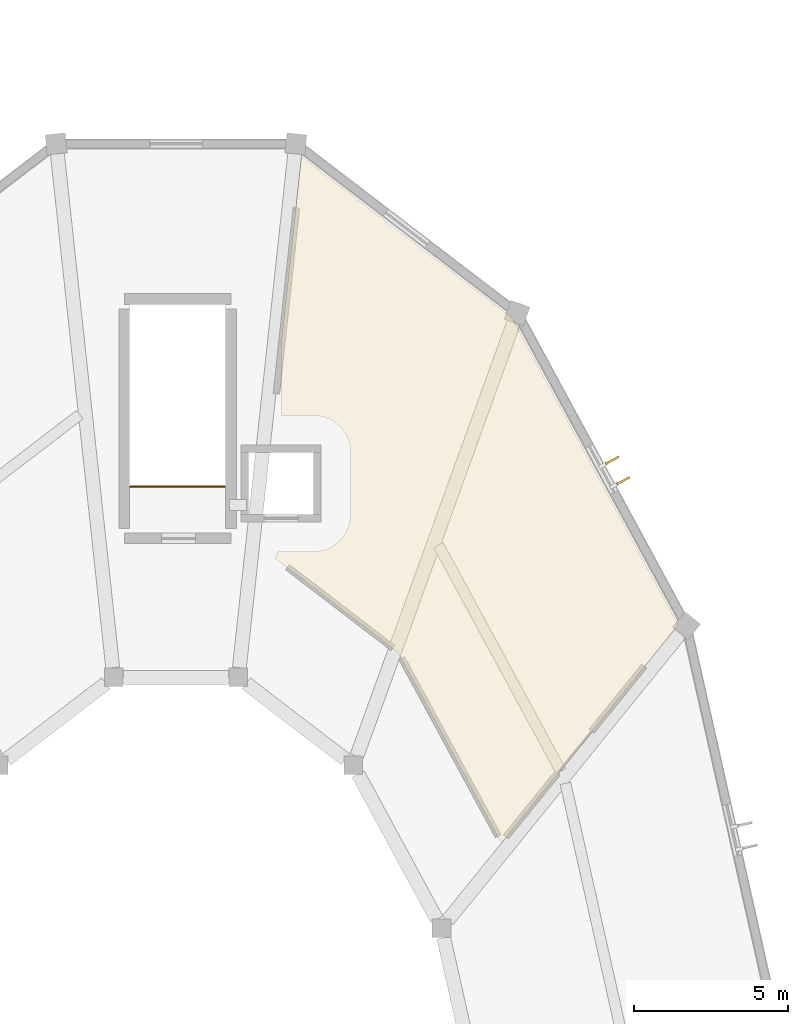
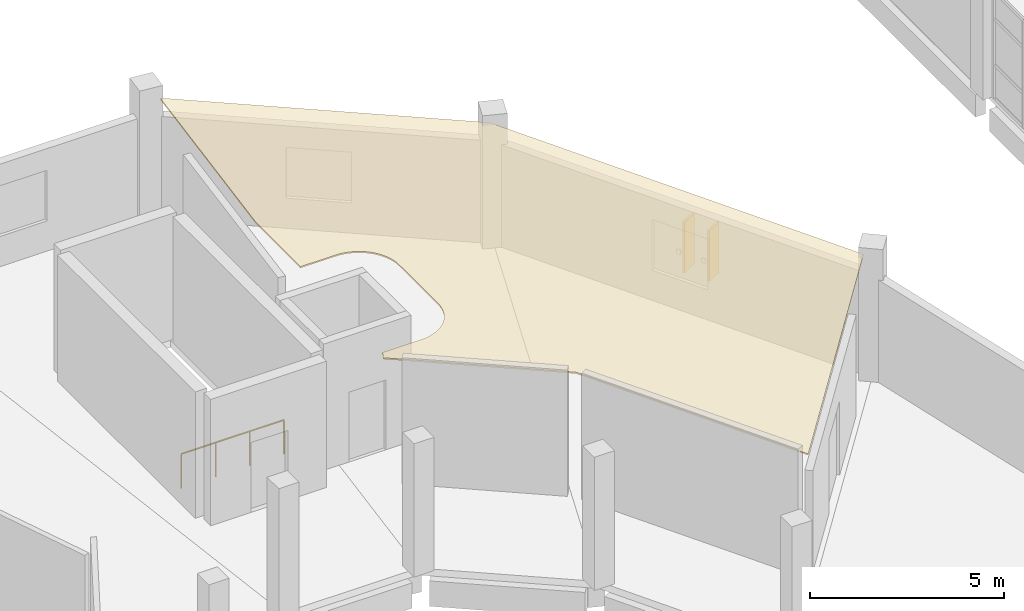
# One storey, part 138 of 142: 2 shading devices, 1 covering, 1 railing.
"""IFC4 building model written with IfcOpenShell, lengths in metres."""

from ifc_helpers import new_model, si_unit, direction, frame, origin, origin_2d, place, context, subcontext, project, spatial, polyline, rectangle, circle, outline, extrude, material, layer, layer_set, type_object, element, save


model = new_model("IFC4")

# Units and contexts
model_context = context("Model", 3, precision=1e-05, world=origin(), true_north=direction((0.0, 1.0)))
body_context = subcontext(model_context, "Body", "Model", "MODEL_VIEW")
ifc_project = project(units=[si_unit("LENGTHUNIT", "METRE"), si_unit("AREAUNIT", "SQUARE_METRE"), si_unit("VOLUMEUNIT", "CUBIC_METRE"), si_unit("PLANEANGLEUNIT", "RADIAN"), si_unit("MASSUNIT", "GRAM", prefix="KILO")], contexts=[model_context])

# Site, building, storey
site_placement = place(None, origin())
site = spatial("IfcSite", under=ifc_project, at=site_placement, CompositionType="ELEMENT")
building_placement = place(site_placement, origin())
building = spatial("IfcBuilding", under=site, at=building_placement, Name="Corvandel Quay Wholesale Market", CompositionType="ELEMENT")
storey_placement = place(building_placement, frame((0.0, 0.0, 10.800048828125)))
storey = spatial("IfcBuildingStorey", under=building, at=storey_placement, Name="L02", CompositionType="ELEMENT", Elevation=10.800048828125)

# Covering
ifc_material_1 = material(Name="Perforated powder-coated aluminium acoustic panel", Category="aluminium")
ifc_layer_1 = layer(ifc_material_1, 0.044921875)
ifc_layer_set_1 = layer_set([ifc_layer_1], Name="Perforated powder-coated aluminium acoustic panel")
covering_type = type_object("IfcCoveringType", Name="Perforated Acoustic Baffle Ceiling CLG01", PredefinedType="CEILING", material=ifc_layer_set_1)
covering_placement = place(storey_placement, frame((0.0, 0.0, 3.829833984375)))
element("IfcCovering", 1, at=covering_placement, inside=storey, type_object=covering_type, Name="Suspended Ceiling CLG-021", PredefinedType="CEILING", context=body_context, shape_type="SweptSolid", body=[
    extrude(outline(polyline([(205.053955078125, 73.368896484375), (205.052978515625, 73.367919921875), (205.051025390625, 73.365966796875), (205.050048828125, 73.364990234375), (205.048095703125, 73.364990234375), (205.0458984375, 73.364013671875), (205.0439453125, 73.363037109375), (205.0419921875, 73.363037109375), (205.0400390625, 73.363037109375), (205.0380859375, 73.363037109375), (205.035888671875, 73.363037109375), (205.033935546875, 73.364013671875), (205.031982421875, 73.364013671875), (205.031005859375, 73.364990234375), (205.029052734375, 73.365966796875), (205.027099609375, 73.366943359375), (205.02587890625, 73.368896484375), (205.02490234375, 73.3701171875), (205.02294921875, 73.3720703125), (205.02197265625, 73.373046875), (201.68505859375, 79.52587890625), (197.700927734375, 82.580078125), (197.762939453125, 82.7109375), (197.794921875, 82.800048828125), (198.949951171875, 82.800048828125), (199.068115234375, 82.805908203125), (199.18408203125, 82.822998046875), (199.298095703125, 82.85205078125), (199.408935546875, 82.89111328125), (199.51611328125, 82.94189453125), (199.616943359375, 83.001953125), (199.7109375, 83.072021484375), (199.799072265625, 83.15087890625), (199.8779296875, 83.239013671875), (199.947998046875, 83.3330078125), (200.008056640625, 83.43408203125), (200.05908203125, 83.541015625), (200.097900390625, 83.652099609375), (200.126953125, 83.76611328125), (200.14404296875, 83.882080078125), (200.14990234375, 84.0), (200.14990234375, 86.0), (200.14404296875, 86.117919921875), (200.126953125, 86.23388671875), (200.097900390625, 86.347900390625), (200.05908203125, 86.458984375), (200.008056640625, 86.56591796875), (199.947998046875, 86.6669921875), (199.8779296875, 86.760986328125), (199.799072265625, 86.84912109375), (199.7109375, 86.927978515625), (199.616943359375, 86.998046875), (199.51611328125, 87.05810546875), (199.408935546875, 87.10888671875), (199.298095703125, 87.14794921875), (199.18408203125, 87.177001953125), (199.068115234375, 87.194091796875), (198.949951171875, 87.199951171875), (197.89990234375, 87.199951171875), (197.89990234375, 89.4990234375), (198.552001953125, 95.552001953125), (198.552001953125, 95.553955078125), (198.552978515625, 95.555908203125), (198.553955078125, 95.55810546875), (198.553955078125, 95.55908203125), (198.554931640625, 95.56103515625), (198.556884765625, 95.56298828125), (198.55810546875, 95.56396484375), (198.55908203125, 95.56494140625), (198.56103515625, 95.56689453125), (198.56201171875, 95.568115234375), (198.56396484375, 95.568115234375), (198.56591796875, 95.569091796875), (198.568115234375, 95.570068359375), (198.570068359375, 95.570068359375), (198.572021484375, 95.570068359375), (198.573974609375, 95.570068359375), (198.574951171875, 95.570068359375), (198.576904296875, 95.569091796875), (198.5791015625, 95.569091796875), (198.5810546875, 95.568115234375), (198.5830078125, 95.56689453125), (198.583984375, 95.56591796875), (205.37109375, 90.3759765625), (205.373046875, 90.375), (205.3740234375, 90.373046875), (205.375, 90.37109375), (205.376953125, 90.3701171875), (210.761962890625, 80.428955078125), (210.761962890625, 80.427001953125), (210.762939453125, 80.425048828125), (210.763916015625, 80.423095703125), (210.763916015625, 80.4208984375), (210.763916015625, 80.4189453125), (210.763916015625, 80.4169921875), (210.763916015625, 80.4150390625), (210.762939453125, 80.4130859375), (210.762939453125, 80.410888671875), (210.761962890625, 80.409912109375), (210.760986328125, 80.407958984375), (210.760009765625, 80.406005859375), (205.055908203125, 73.3701171875), (205.053955078125, 73.368896484375)])), origin(), (0.0, 0.0, 1.0), 0.045166015625),
])

# Railing
ifc_material_2 = material(Name="Painted galvanised tubular steel", Category="steel")
ifc_layer_2 = layer(ifc_material_2, 0.054931640625)
ifc_layer_set_2 = layer_set([ifc_layer_2], Name="Painted galvanised tubular steel")
railing_type = type_object("IfcRailingType", Name="Stairwell Inner Guard Railing GR02 1100mm", PredefinedType="GUARDRAIL", material=ifc_layer_set_2)
railing_placement = place(storey_placement, frame((193.02001953125, 84.89990234375, 0.0)))
element("IfcRailing", 2, at=railing_placement, inside=storey, type_object=railing_type, Name="Stair Top Well Guard SH08-L02", PredefinedType="GUARDRAIL", context=body_context, shape_type="SweptSolid", body=[
    extrude(circle(Radius=0.02392578125, at=origin_2d()), frame((0.0, 0.0, 1.076171875), z_axis=(1.0, 0.0, 0.0), x_axis=(0.0, 1.0, 0.0)), (0.0, 0.0, 1.0), 3.06005859375),
    extrude(circle(Radius=0.02099609375, at=origin_2d()), origin(), (0.0, 0.0, 1.0), 1.052001953125),
    extrude(circle(Radius=0.02099609375, at=origin_2d()), frame((1.02001953125, 0.0, 0.0)), (0.0, 0.0, 1.0), 1.052001953125),
    extrude(circle(Radius=0.02099609375, at=origin_2d()), frame((2.0400390625, 0.0, 0.0)), (0.0, 0.0, 1.0), 1.052001953125),
    extrude(circle(Radius=0.02099609375, at=origin_2d()), frame((3.06005859375, 0.0, 0.0)), (0.0, 0.0, 1.0), 1.052001953125),
])

# Shading devices
ifc_material_3 = material(Name="Bronze anodised extruded aluminium 6063-T6", Category="aluminium")
shading_device_type = type_object("IfcShadingDeviceType", Name="Vertical Anodised Bronze Solar Fin FN01 480mm", PredefinedType="JALOUSIE", material=ifc_material_3)
for number, where, z_axis, x_axis, name in (
    (3, (208.984619140625, 85.093994140625, 0.949951171875), (0.0, 0.0, 1.0), (0.879316310191, 0.476238203668, 0.0), "Solar Fin 0466"),
    (4, (208.62744140625, 85.75341796875, 0.949951171875), (0.0, 0.0, 1.0), (0.879316310191, 0.476238203668, 0.0), "Solar Fin 0467"),
):
    element("IfcShadingDevice", number, at=place(storey_placement, frame(where, z_axis=z_axis, x_axis=x_axis)), inside=storey, type_object=shading_device_type, Name=name, PredefinedType="JALOUSIE", context=body_context, shape_type="SweptSolid", body=[
        extrude(rectangle(XDim=0.47998046875, YDim=0.06494140625, at=origin_2d()), origin(), (0.0, 0.0, 1.0), 1.60009765625),
    ])

save(model, "model.ifc")
